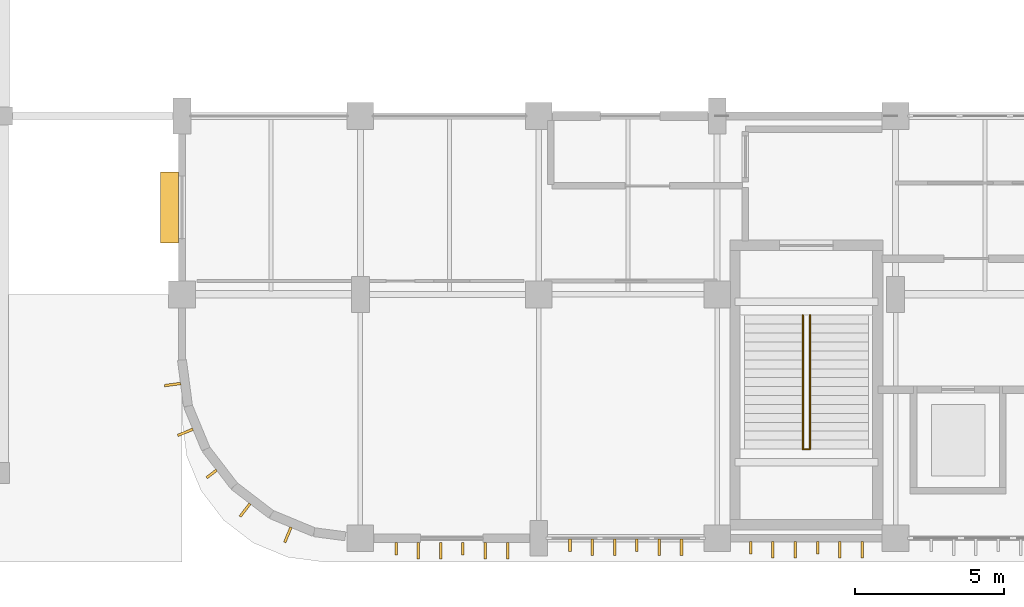
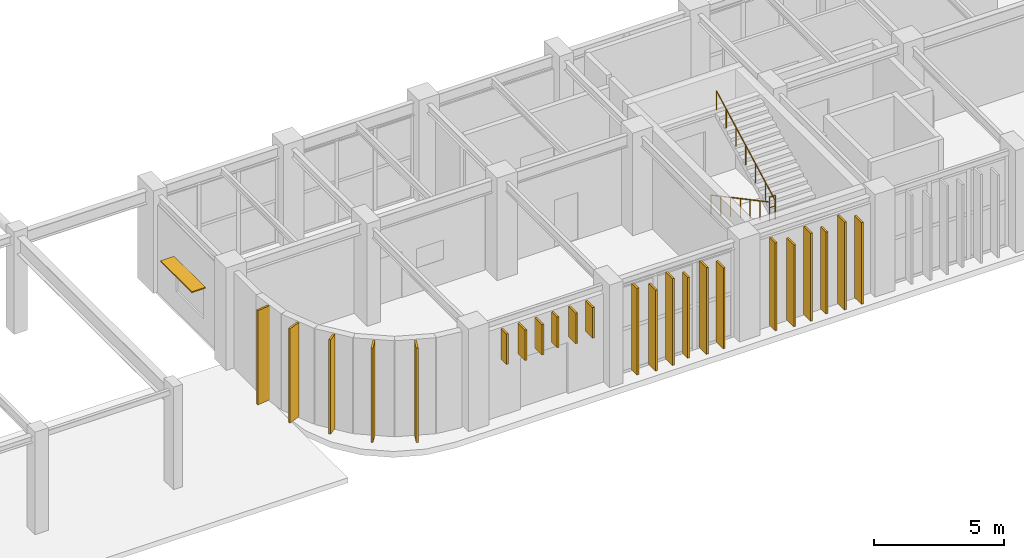
# One storey, part 66 of 76: 23 coverings, 3 railings, 1 shading device.
"""IFC4 building model written with IfcOpenShell, lengths in metres."""

from ifc_helpers import new_model, si_unit, direction, frame, origin, origin_2d, place, context, subcontext, project, spatial, rectangle, circle, extrude, material, layer, layer_set, type_object, element, save


model = new_model("IFC4")

# Units and contexts
model_context = context("Model", 3, precision=1e-05, world=origin(), true_north=direction((0.0, 1.0)))
body_context = subcontext(model_context, "Body", "Model", "MODEL_VIEW")
ifc_project = project(units=[si_unit("LENGTHUNIT", "METRE"), si_unit("AREAUNIT", "SQUARE_METRE"), si_unit("VOLUMEUNIT", "CUBIC_METRE"), si_unit("PLANEANGLEUNIT", "RADIAN"), si_unit("MASSUNIT", "GRAM", prefix="KILO")], contexts=[model_context])

# Site, building, storey
site_placement = place(None, origin())
site = spatial("IfcSite", under=ifc_project, at=site_placement, CompositionType="ELEMENT")
building_placement = place(site_placement, origin())
building = spatial("IfcBuilding", under=site, at=building_placement, Name="Varnakota Square Police Headquarters", CompositionType="ELEMENT")
storey_placement = place(building_placement, origin())
storey = spatial("IfcBuildingStorey", under=building, at=storey_placement, Name="L00", CompositionType="ELEMENT", Elevation=0.0)

# Coverings
ifc_material_1 = material(Name="White Anodised Aluminium Vertical Facade Blade 420", Category="aluminium")
ifc_layer_1 = layer(ifc_material_1, 0.0849609375, Name="White Anodised Aluminium Vertical Facade Blade 420")
ifc_layer_set_1 = layer_set([ifc_layer_1], Name="White Anodised Aluminium Vertical Facade Blade 420")
covering_type_1 = type_object("IfcCoveringType", Name="COV-FIN-420", PredefinedType="CLADDING", material=ifc_layer_set_1)
for number, where, z_axis, x_axis, name in (
    (1, (115.199951171875, 0.445068359375, 2.64990234375), (0.0, 0.0, 1.0), (1.0, 0.0, 0.0), "Vertical aluminium facade fin FIN-0139"),
    (2, (117.449951171875, 0.445068359375, 2.64990234375), (0.0, 0.0, 1.0), (1.0, 0.0, 0.0), "Vertical aluminium facade fin FIN-0142"),
):
    element("IfcCovering", number, at=place(storey_placement, frame(where, z_axis=z_axis, x_axis=x_axis)), inside=storey, type_object=covering_type_1, Name=name, PredefinedType="CLADDING", context=body_context, shape_type="SweptSolid", body=[
        extrude(rectangle(XDim=0.0849609375, YDim=0.419921875, at=origin_2d()), origin(), (0.0, 0.0, 1.0), 1.429931640625),
    ])
covering_1_placement = place(storey_placement, frame((121.050048828125, 0.5576171875, 0.0400390625), z_axis=(0.0, 0.0, 1.0), x_axis=(1.0, 0.0, 0.0)))
element("IfcCovering", 3, at=covering_1_placement, inside=storey, type_object=covering_type_1, Name="Vertical aluminium facade fin FIN-0145", PredefinedType="CLADDING", context=body_context, shape_type="SweptSolid", body=[
    extrude(rectangle(XDim=0.0849609375, YDim=0.419921875, at=origin_2d()), origin(), (0.0, 0.0, 1.0), 4.06005859375),
])
covering_2_placement = place(storey_placement, frame((123.300048828125, 0.5576171875, 0.0400390625), z_axis=(0.0, 0.0, 1.0), x_axis=(1.0, 0.0, 0.0)))
element("IfcCovering", 4, at=covering_2_placement, inside=storey, type_object=covering_type_1, Name="Vertical aluminium facade fin FIN-0148", PredefinedType="CLADDING", context=body_context, shape_type="SweptSolid", body=[
    extrude(rectangle(XDim=0.0849609375, YDim=0.419921875, at=origin_2d()), origin(), (0.0, 0.0, 1.0), 3.780029296875),
])
covering_3_placement = place(storey_placement, frame((127.125, 0.47509765625, 0.0400390625), z_axis=(0.0, 0.0, 1.0), x_axis=(1.0, 0.0, 0.0)))
element("IfcCovering", 5, at=covering_3_placement, inside=storey, type_object=covering_type_1, Name="Vertical aluminium facade fin FIN-0151", PredefinedType="CLADDING", context=body_context, shape_type="SweptSolid", body=[
    extrude(rectangle(XDim=0.0849609375, YDim=0.419921875, at=origin_2d()), origin(), (0.0, 0.0, 1.0), 4.110107421875),
])
covering_4_placement = place(storey_placement, frame((129.375, 0.47509765625, 0.0400390625), z_axis=(0.0, 0.0, 1.0), x_axis=(1.0, 0.0, 0.0)))
element("IfcCovering", 6, at=covering_4_placement, inside=storey, type_object=covering_type_1, Name="Vertical aluminium facade fin FIN-0154", PredefinedType="CLADDING", context=body_context, shape_type="SweptSolid", body=[
    extrude(rectangle(XDim=0.0849609375, YDim=0.419921875, at=origin_2d()), origin(), (0.0, 0.0, 1.0), 3.830078125),
])
covering_5_placement = place(storey_placement, frame((108.9990234375, 2.962646484375, 0.0400390625), z_axis=(0.0, 0.0, 1.0), x_axis=(0.608761429009, -0.793353340291, 0.0)))
element("IfcCovering", 7, at=covering_5_placement, inside=storey, type_object=covering_type_1, Name="Vertical aluminium facade fin FIN-0220", PredefinedType="CLADDING", context=body_context, shape_type="SweptSolid", body=[
    extrude(rectangle(XDim=0.0849609375, YDim=0.419921875, at=origin_2d()), origin(), (0.0, 0.0, 1.0), 4.4150390625),
])
ifc_material_2 = material(Name="White Anodised Aluminium Vertical Facade Blade 550", Category="aluminium")
ifc_layer_2 = layer(ifc_material_2, 0.0849609375, Name="White Anodised Aluminium Vertical Facade Blade 550")
ifc_layer_set_2 = layer_set([ifc_layer_2], Name="White Anodised Aluminium Vertical Facade Blade 550")
covering_type_2 = type_object("IfcCoveringType", Name="COV-FIN-550", PredefinedType="CLADDING", material=ifc_layer_set_2)
for number, where, z_axis, x_axis, name in (
    (8, (115.949951171875, 0.3798828125, 2.64990234375), (0.0, 0.0, 1.0), (1.0, 0.0, 0.0), "Vertical aluminium facade fin FIN-0140"),
    (9, (116.699951171875, 0.3798828125, 2.64990234375), (0.0, 0.0, 1.0), (1.0, 0.0, 0.0), "Vertical aluminium facade fin FIN-0141"),
    (10, (118.199951171875, 0.3798828125, 2.64990234375), (0.0, 0.0, 1.0), (1.0, 0.0, 0.0), "Vertical aluminium facade fin FIN-0143"),
    (11, (118.949951171875, 0.3798828125, 2.64990234375), (0.0, 0.0, 1.0), (1.0, 0.0, 0.0), "Vertical aluminium facade fin FIN-0144"),
):
    element("IfcCovering", number, at=place(storey_placement, frame(where, z_axis=z_axis, x_axis=x_axis)), inside=storey, type_object=covering_type_2, Name=name, PredefinedType="CLADDING", context=body_context, shape_type="SweptSolid", body=[
        extrude(rectangle(XDim=0.0849609375, YDim=0.550048828125, at=origin_2d()), origin(), (0.0, 0.0, 1.0), 1.429931640625),
    ])
covering_6_placement = place(storey_placement, frame((121.800048828125, 0.492431640625, 0.0400390625), z_axis=(0.0, 0.0, 1.0), x_axis=(1.0, 0.0, 0.0)))
element("IfcCovering", 12, at=covering_6_placement, inside=storey, type_object=covering_type_2, Name="Vertical aluminium facade fin FIN-0146", PredefinedType="CLADDING", context=body_context, shape_type="SweptSolid", body=[
    extrude(rectangle(XDim=0.0849609375, YDim=0.550048828125, at=origin_2d()), origin(), (0.0, 0.0, 1.0), 3.780029296875),
])
for number, where, z_axis, x_axis, name in (
    (13, (122.550048828125, 0.492431640625, 0.0400390625), (0.0, 0.0, 1.0), (1.0, 0.0, 0.0), "Vertical aluminium facade fin FIN-0147"),
    (14, (124.050048828125, 0.492431640625, 0.0400390625), (0.0, 0.0, 1.0), (1.0, 0.0, 0.0), "Vertical aluminium facade fin FIN-0149"),
):
    element("IfcCovering", number, at=place(storey_placement, frame(where, z_axis=z_axis, x_axis=x_axis)), inside=storey, type_object=covering_type_2, Name=name, PredefinedType="CLADDING", context=body_context, shape_type="SweptSolid", body=[
        extrude(rectangle(XDim=0.0849609375, YDim=0.550048828125, at=origin_2d()), origin(), (0.0, 0.0, 1.0), 4.06005859375),
    ])
covering_7_placement = place(storey_placement, frame((124.800048828125, 0.492431640625, 0.0400390625), z_axis=(0.0, 0.0, 1.0), x_axis=(1.0, 0.0, 0.0)))
element("IfcCovering", 15, at=covering_7_placement, inside=storey, type_object=covering_type_2, Name="Vertical aluminium facade fin FIN-0150", PredefinedType="CLADDING", context=body_context, shape_type="SweptSolid", body=[
    extrude(rectangle(XDim=0.0849609375, YDim=0.550048828125, at=origin_2d()), origin(), (0.0, 0.0, 1.0), 3.780029296875),
])
covering_8_placement = place(storey_placement, frame((127.875, 0.409912109375, 0.0400390625), z_axis=(0.0, 0.0, 1.0), x_axis=(1.0, 0.0, 0.0)))
element("IfcCovering", 16, at=covering_8_placement, inside=storey, type_object=covering_type_2, Name="Vertical aluminium facade fin FIN-0152", PredefinedType="CLADDING", context=body_context, shape_type="SweptSolid", body=[
    extrude(rectangle(XDim=0.0849609375, YDim=0.550048828125, at=origin_2d()), origin(), (0.0, 0.0, 1.0), 3.830078125),
])
for number, where, z_axis, x_axis, name in (
    (17, (128.625, 0.409912109375, 0.0400390625), (0.0, 0.0, 1.0), (1.0, 0.0, 0.0), "Vertical aluminium facade fin FIN-0153"),
    (18, (130.125, 0.409912109375, 0.0400390625), (0.0, 0.0, 1.0), (1.0, 0.0, 0.0), "Vertical aluminium facade fin FIN-0155"),
):
    element("IfcCovering", number, at=place(storey_placement, frame(where, z_axis=z_axis, x_axis=x_axis)), inside=storey, type_object=covering_type_2, Name=name, PredefinedType="CLADDING", context=body_context, shape_type="SweptSolid", body=[
        extrude(rectangle(XDim=0.0849609375, YDim=0.550048828125, at=origin_2d()), origin(), (0.0, 0.0, 1.0), 4.110107421875),
    ])
covering_9_placement = place(storey_placement, frame((130.875, 0.409912109375, 0.0400390625), z_axis=(0.0, 0.0, 1.0), x_axis=(1.0, 0.0, 0.0)))
element("IfcCovering", 19, at=covering_9_placement, inside=storey, type_object=covering_type_2, Name="Vertical aluminium facade fin FIN-0156", PredefinedType="CLADDING", context=body_context, shape_type="SweptSolid", body=[
    extrude(rectangle(XDim=0.0849609375, YDim=0.550048828125, at=origin_2d()), origin(), (0.0, 0.0, 1.0), 3.830078125),
])
for number, where, z_axis, x_axis, name in (
    (20, (107.685791015625, 5.96875, 0.0400390625), (0.0, 0.0, 1.0), (0.13052619222, -0.991444861374, 0.0), "Vertical aluminium facade fin FIN-0218"),
    (21, (108.1162109375, 4.36279296875, 0.0400390625), (0.0, 0.0, 1.0), (0.382683432365, -0.923879532511, 0.0), "Vertical aluminium facade fin FIN-0219"),
    (22, (110.123046875, 1.747314453125, 0.0400390625), (0.0, 0.0, 1.0), (0.793353340291, -0.608761429009, 0.0), "Vertical aluminium facade fin FIN-0221"),
    (23, (111.562744140625, 0.916015625, 0.0400390625), (0.0, 0.0, 1.0), (0.923879532511, -0.382683432365, 0.0), "Vertical aluminium facade fin FIN-0222"),
):
    element("IfcCovering", number, at=place(storey_placement, frame(where, z_axis=z_axis, x_axis=x_axis)), inside=storey, type_object=covering_type_2, Name=name, PredefinedType="CLADDING", context=body_context, shape_type="SweptSolid", body=[
        extrude(rectangle(XDim=0.0849609375, YDim=0.550048828125, at=origin_2d()), origin(), (0.0, 0.0, 1.0), 4.4150390625),
    ])

# Railings
ifc_material_3 = material(Name="Brushed Stainless Steel Tubular Handrail", Category="steel")
railing_type_1 = type_object("IfcRailingType", Name="RL-HND-920", PredefinedType="HANDRAIL", material=ifc_material_3)
railing_1_placement = place(storey_placement, frame((128.8798828125, 8.300048828125, 0.0)))
element("IfcRailing", 24, at=railing_1_placement, inside=storey, type_object=railing_type_1, Name="Stair flight handrail HR-L00-001", PredefinedType="HANDRAIL", context=body_context, shape_type="SweptSolid", body=[
    extrude(circle(Radius=0.02392578125, at=origin_2d()), frame((0.0, 0.0, 0.89599609375), z_axis=(0.0, -0.882392687573, 0.470513703219), x_axis=(1.0, 0.0, 0.0)), (0.0, 0.0, 1.0), 5.1005859375),
    extrude(circle(Radius=0.02099609375, at=origin_2d()), origin(), (0.0, 0.0, 1.0), 0.871826171875),
    extrude(circle(Radius=0.02099609375, at=origin_2d()), frame((0.0, -0.75, 0.39990234375)), (0.0, 0.0, 1.0), 0.871826171875),
    extrude(circle(Radius=0.02099609375, at=origin_2d()), frame((0.0, -1.500244140625, 0.800048828125)), (0.0, 0.0, 1.0), 0.871826171875),
    extrude(circle(Radius=0.02099609375, at=origin_2d()), frame((0.0, -2.25048828125, 1.199951171875)), (0.0, 0.0, 1.0), 0.871826171875),
    extrude(circle(Radius=0.02099609375, at=origin_2d()), frame((0.0, -3.00048828125, 1.599853515625)), (0.0, 0.0, 1.0), 0.871826171875),
    extrude(circle(Radius=0.02099609375, at=origin_2d()), frame((0.0, -3.75048828125, 2.0)), (0.0, 0.0, 1.0), 0.871826171875),
    extrude(circle(Radius=0.02099609375, at=origin_2d()), frame((0.0, -4.500732421875, 2.39990234375)), (0.0, 0.0, 1.0), 0.871826171875),
])
railing_2_placement = place(storey_placement, frame((129.1201171875, 3.79931640625, 2.39990234375)))
element("IfcRailing", 25, at=railing_2_placement, inside=storey, type_object=railing_type_1, Name="Stair flight handrail HR-L00-002", PredefinedType="HANDRAIL", context=body_context, shape_type="SweptSolid", body=[
    extrude(circle(Radius=0.02392578125, at=origin_2d()), frame((0.0, 0.0, 0.89599609375), z_axis=(0.0, 0.882372814714, 0.470550970516), x_axis=(-1.0, 0.0, 0.0)), (0.0, 0.0, 1.0), 5.100830078125),
    extrude(circle(Radius=0.02099609375, at=origin_2d()), origin(), (0.0, 0.0, 1.0), 0.871826171875),
    extrude(circle(Radius=0.02099609375, at=origin_2d()), frame((0.0, 0.75, 0.39990234375)), (0.0, 0.0, 1.0), 0.871826171875),
    extrude(circle(Radius=0.02099609375, at=origin_2d()), frame((0.0, 1.500244140625, 0.800048828125)), (0.0, 0.0, 1.0), 0.871826171875),
    extrude(circle(Radius=0.02099609375, at=origin_2d()), frame((0.0, 2.25048828125, 1.2001953125)), (0.0, 0.0, 1.0), 0.871826171875),
    extrude(circle(Radius=0.02099609375, at=origin_2d()), frame((0.0, 3.00048828125, 1.60009765625)), (0.0, 0.0, 1.0), 0.871826171875),
    extrude(circle(Radius=0.02099609375, at=origin_2d()), frame((0.0, 3.75048828125, 2.0)), (0.0, 0.0, 1.0), 0.871826171875),
    extrude(circle(Radius=0.02099609375, at=origin_2d()), frame((0.0, 4.500732421875, 2.400146484375)), (0.0, 0.0, 1.0), 0.871826171875),
])
ifc_material_4 = material(Name="Laminated Glass and Stainless Steel Balustrade", Category="steel")
railing_type_2 = type_object("IfcRailingType", Name="RL-INT-1150", PredefinedType="BALUSTRADE", material=ifc_material_4)
railing_3_placement = place(storey_placement, frame((128.869873046875, 3.79931640625, 2.39990234375)))
element("IfcRailing", 26, at=railing_3_placement, inside=storey, type_object=railing_type_2, Name="Half-landing well guard C1 L00", PredefinedType="BALUSTRADE", context=body_context, shape_type="SweptSolid", body=[
    extrude(circle(Radius=0.02392578125, at=origin_2d()), frame((0.0, 0.0, 1.1259765625), z_axis=(1.0, 0.0, 0.0), x_axis=(0.0, 1.0, 0.0)), (0.0, 0.0, 1.0), 0.26025390625),
    extrude(circle(Radius=0.01806640625, at=origin_2d()), frame((0.0, 0.0, 0.63232421875), z_axis=(1.0, 0.0, 0.0), x_axis=(0.0, 1.0, 0.0)), (0.0, 0.0, 1.0), 0.26025390625),
    extrude(circle(Radius=0.02099609375, at=origin_2d()), origin(), (0.0, 0.0, 1.0), 1.101806640625),
    extrude(circle(Radius=0.02099609375, at=origin_2d()), frame((0.26025390625, 0.0, 0.0)), (0.0, 0.0, 1.0), 1.101806640625),
])

# Shading device
ifc_material_5 = material(Name="Anodised Aluminium Horizontal Brise-Soleil", Category="aluminium")
ifc_layer_3 = layer(ifc_material_5, 0.06005859375, Name="Anodised Aluminium Horizontal Brise-Soleil")
ifc_layer_set_3 = layer_set([ifc_layer_3], Name="Anodised Aluminium Horizontal Brise-Soleil")
shading_device_type = type_object("IfcShadingDeviceType", Name="SHD-JAL-600", PredefinedType="JALOUSIE", material=ifc_layer_set_3)
shading_device_placement = place(storey_placement, frame((107.58203125, 11.925048828125, 2.39990234375), z_axis=(0.0, 0.0, 1.0), x_axis=(0.0, 1.0, 0.0)))
element("IfcShadingDevice", 27, at=shading_device_placement, inside=storey, type_object=shading_device_type, Name="Horizontal sunshade SHD-014", PredefinedType="JALOUSIE", context=body_context, shape_type="SweptSolid", body=[
    extrude(rectangle(XDim=2.39990234375, YDim=0.60009765625, at=origin_2d()), origin(), (0.0, 0.0, 1.0), 0.06005859375),
])

save(model, "model.ifc")
